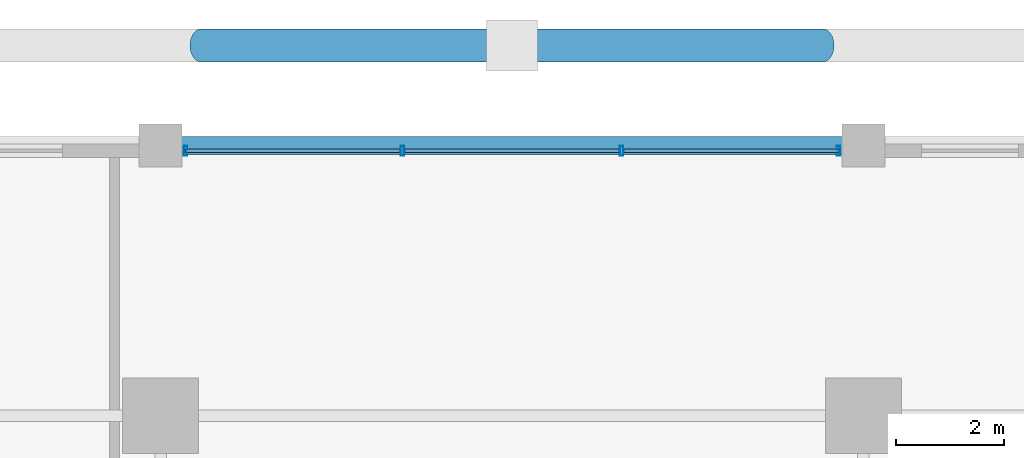
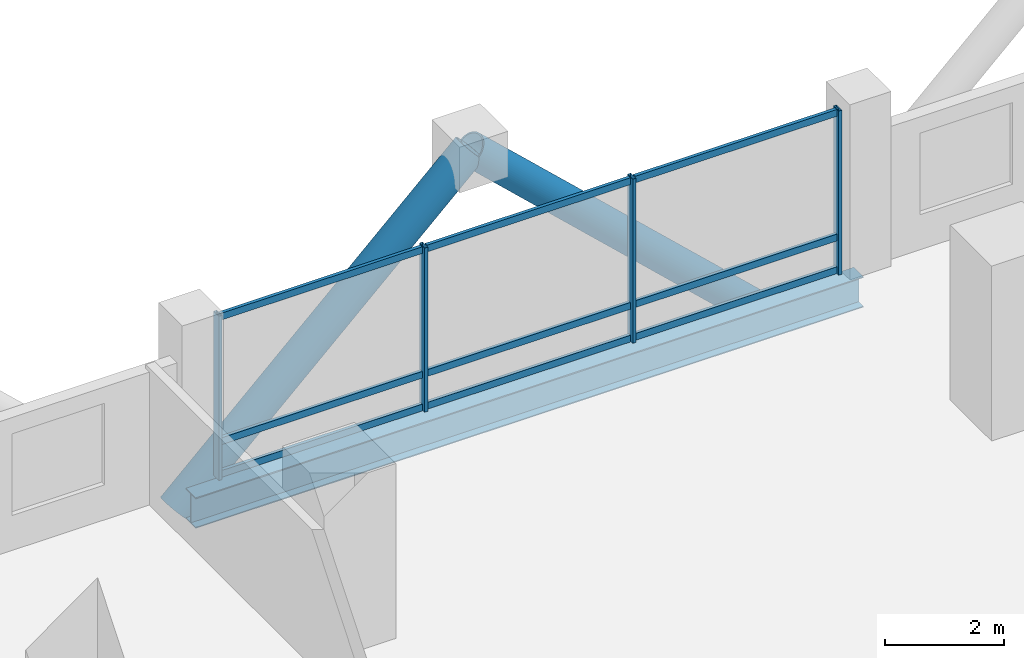
# One storey, part 13 of 23: 15 members, 1 beam, 1 element without a shape of its own.
"""IFC4 building model written with IfcOpenShell, lengths in metres."""

from ifc_helpers import new_model, si_unit, direction, frame, origin, origin_2d, place, context, subcontext, project, spatial, hollow_rectangle, hollow_circle, i_section, extrude, material, layer, layer_set, material_profile, profile_set, type_object, element, aggregate, save


model = new_model("IFC4")

# Units and contexts
model_context = context("Model", 3, precision=1e-05, world=origin(), true_north=direction((0.0, 1.0)))
body_context = subcontext(model_context, "Body", "Model", "MODEL_VIEW")
ifc_project = project(units=[si_unit("LENGTHUNIT", "METRE"), si_unit("AREAUNIT", "SQUARE_METRE"), si_unit("VOLUMEUNIT", "CUBIC_METRE"), si_unit("PLANEANGLEUNIT", "RADIAN"), si_unit("MASSUNIT", "GRAM", prefix="KILO")], contexts=[model_context])

# Site, building, storey
site_placement = place(None, origin())
site = spatial("IfcSite", under=ifc_project, at=site_placement, CompositionType="ELEMENT")
building_placement = place(site_placement, origin())
building = spatial("IfcBuilding", under=site, at=building_placement, Name="Barlavira Tower and Art Museum", CompositionType="ELEMENT")
storey_placement = place(building_placement, frame((0.0, 0.0, 68.39990234375)))
storey = spatial("IfcBuildingStorey", under=building, at=storey_placement, Name="L16", CompositionType="ELEMENT", Elevation=68.39990234375)

# Curtain wall, members
ifc_material_1 = material(Name="Low-iron coastal laminated glass", Category="glass")
ifc_layer = layer(ifc_material_1, 0.179931640625, Name="Low-iron coastal laminated glass")
ifc_layer_set = layer_set([ifc_layer], Name="Low-iron coastal laminated glass")
curtain_wall_type = type_object("IfcCurtainWallType", Name="Pale-Metal Unitised Curtain Wall Zone 1", PredefinedType="NOTDEFINED", material=ifc_layer_set)
curtain_wall_placement = place(storey_placement, origin())
curtain_wall = element("IfcCurtainWall", 1, at=curtain_wall_placement, inside=storey, type_object=curtain_wall_type, Name="L16 Curtain Wall CW1-L16-N-B3", PredefinedType="NOTDEFINED")
ifc_material_2 = material(Name="Pale anodised aluminium", Category="aluminium")
ifc_material_profile_1 = material_profile(ifc_material_2, hollow_rectangle(XDim=0.06494140625, YDim=0.179931640625, WallThickness=0.00390625, at=origin_2d()), Name="ALU-MULL 65x180x4")
ifc_profile_set_1 = profile_set([ifc_material_profile_1], Name="Pale anodised aluminium")
member_type_1 = type_object("IfcMemberType", Name="Curtain Wall Pale-Metal Mullion 65x180", PredefinedType="MULLION", material=ifc_profile_set_1)
member_1_placement = place(storey_placement, frame((6.034912109375, 24.89990234375, 0.0), z_axis=(0.0, 0.0, 1.0), x_axis=(-1.0, 0.0, 0.0)))
member_1 = element("IfcMember", 2, at=member_1_placement, type_object=member_type_1, Name="CW1-L16-N-B3 Mullion 0", PredefinedType="MULLION", context=body_context, shape_type="SweptSolid", body=[
    extrude(hollow_rectangle(XDim=0.06494140625, YDim=0.179931640625, WallThickness=0.00390625, at=origin_2d()), origin(), (0.0, 0.0, 1.0), 3.380126953125),
])
member_2_placement = place(storey_placement, frame((2.026611328125, 24.89990234375, 0.0), z_axis=(0.0, 0.0, 1.0), x_axis=(-1.0, 0.0, 0.0)))
member_2 = element("IfcMember", 3, at=member_2_placement, type_object=member_type_1, Name="CW1-L16-N-B3 Mullion 1", PredefinedType="MULLION", context=body_context, shape_type="SweptSolid", body=[
    extrude(hollow_rectangle(XDim=0.06494140625, YDim=0.179931640625, WallThickness=0.00390625, at=origin_2d()), origin(), (0.0, 0.0, 1.0), 3.380126953125),
])
member_3_placement = place(storey_placement, frame((-2.026611328125, 24.89990234375, 0.0), z_axis=(0.0, 0.0, 1.0), x_axis=(-1.0, 0.0, 0.0)))
member_3 = element("IfcMember", 4, at=member_3_placement, type_object=member_type_1, Name="CW1-L16-N-B3 Mullion 2", PredefinedType="MULLION", context=body_context, shape_type="SweptSolid", body=[
    extrude(hollow_rectangle(XDim=0.06494140625, YDim=0.179931640625, WallThickness=0.00390625, at=origin_2d()), origin(), (0.0, 0.0, 1.0), 3.380126953125),
])
member_4_placement = place(storey_placement, frame((-6.034912109375, 24.89990234375, 0.0), z_axis=(0.0, 0.0, 1.0), x_axis=(-1.0, 0.0, 0.0)))
member_4 = element("IfcMember", 5, at=member_4_placement, type_object=member_type_1, Name="CW1-L16-N-B3 Mullion 3", PredefinedType="MULLION", context=body_context, shape_type="SweptSolid", body=[
    extrude(hollow_rectangle(XDim=0.06494140625, YDim=0.179931640625, WallThickness=0.00390625, at=origin_2d()), origin(), (0.0, 0.0, 1.0), 3.380126953125),
])
ifc_material_profile_2 = material_profile(ifc_material_2, hollow_rectangle(XDim=0.06494140625, YDim=0.139892578125, WallThickness=0.00390625, at=origin_2d()), Name="ALU-TRAN 65x140x4")
ifc_profile_set_2 = profile_set([ifc_material_profile_2], Name="Pale anodised aluminium")
member_type_2 = type_object("IfcMemberType", Name="Curtain Wall Pale-Metal Transom 65x140", PredefinedType="USERDEFINED", material=ifc_profile_set_2)
member_5_placement = place(storey_placement, frame((6.034912109375, 24.89990234375, 0.070068359375), z_axis=(-1.0, 0.0, 0.0), x_axis=(0.0, -1.0, 0.0)))
member_5 = element("IfcMember", 6, at=member_5_placement, type_object=member_type_2, Name="CW1-L16-N-B3 Transom 0.1", ObjectType="TRANSOM", PredefinedType="USERDEFINED", context=body_context, shape_type="SweptSolid", body=[
    extrude(hollow_rectangle(XDim=0.06494140625, YDim=0.139892578125, WallThickness=0.00390625, at=origin_2d()), origin(), (0.0, 0.0, 1.0), 3.963134765625),
])
member_6_placement = place(storey_placement, frame((6.034912109375, 24.89990234375, 0.744140625), z_axis=(-1.0, 0.0, 0.0), x_axis=(0.0, -1.0, 0.0)))
member_6 = element("IfcMember", 7, at=member_6_placement, type_object=member_type_2, Name="CW1-L16-N-B3 Transom 0.2", ObjectType="TRANSOM", PredefinedType="USERDEFINED", context=body_context, shape_type="SweptSolid", body=[
    extrude(hollow_rectangle(XDim=0.06494140625, YDim=0.139892578125, WallThickness=0.00390625, at=origin_2d()), origin(), (0.0, 0.0, 1.0), 3.963134765625),
])
member_7_placement = place(storey_placement, frame((6.034912109375, 24.89990234375, 3.31005859375), z_axis=(-1.0, 0.0, 0.0), x_axis=(0.0, -1.0, 0.0)))
member_7 = element("IfcMember", 8, at=member_7_placement, type_object=member_type_2, Name="CW1-L16-N-B3 Transom 0.3", ObjectType="TRANSOM", PredefinedType="USERDEFINED", context=body_context, shape_type="SweptSolid", body=[
    extrude(hollow_rectangle(XDim=0.06494140625, YDim=0.139892578125, WallThickness=0.00390625, at=origin_2d()), origin(), (0.0, 0.0, 1.0), 3.963134765625),
])
member_8_placement = place(storey_placement, frame((1.981689453125, 24.89990234375, 0.070068359375), z_axis=(-1.0, 0.0, 0.0), x_axis=(0.0, -1.0, 0.0)))
member_8 = element("IfcMember", 9, at=member_8_placement, type_object=member_type_2, Name="CW1-L16-N-B3 Transom 1.1", ObjectType="TRANSOM", PredefinedType="USERDEFINED", context=body_context, shape_type="SweptSolid", body=[
    extrude(hollow_rectangle(XDim=0.06494140625, YDim=0.139892578125, WallThickness=0.00390625, at=origin_2d()), origin(), (0.0, 0.0, 1.0), 3.96337890625),
])
member_9_placement = place(storey_placement, frame((1.981689453125, 24.89990234375, 0.744140625), z_axis=(-1.0, 0.0, 0.0), x_axis=(0.0, -1.0, 0.0)))
member_9 = element("IfcMember", 10, at=member_9_placement, type_object=member_type_2, Name="CW1-L16-N-B3 Transom 1.2", ObjectType="TRANSOM", PredefinedType="USERDEFINED", context=body_context, shape_type="SweptSolid", body=[
    extrude(hollow_rectangle(XDim=0.06494140625, YDim=0.139892578125, WallThickness=0.00390625, at=origin_2d()), origin(), (0.0, 0.0, 1.0), 3.96337890625),
])
member_10_placement = place(storey_placement, frame((1.981689453125, 24.89990234375, 3.31005859375), z_axis=(-1.0, 0.0, 0.0), x_axis=(0.0, -1.0, 0.0)))
member_10 = element("IfcMember", 11, at=member_10_placement, type_object=member_type_2, Name="CW1-L16-N-B3 Transom 1.3", ObjectType="TRANSOM", PredefinedType="USERDEFINED", context=body_context, shape_type="SweptSolid", body=[
    extrude(hollow_rectangle(XDim=0.06494140625, YDim=0.139892578125, WallThickness=0.00390625, at=origin_2d()), origin(), (0.0, 0.0, 1.0), 3.96337890625),
])
member_11_placement = place(storey_placement, frame((-2.07177734375, 24.89990234375, 0.070068359375), z_axis=(-1.0, 0.0, 0.0), x_axis=(0.0, -1.0, 0.0)))
member_11 = element("IfcMember", 12, at=member_11_placement, type_object=member_type_2, Name="CW1-L16-N-B3 Transom 2.1", ObjectType="TRANSOM", PredefinedType="USERDEFINED", context=body_context, shape_type="SweptSolid", body=[
    extrude(hollow_rectangle(XDim=0.06494140625, YDim=0.139892578125, WallThickness=0.00390625, at=origin_2d()), origin(), (0.0, 0.0, 1.0), 3.963134765625),
])
member_12_placement = place(storey_placement, frame((-2.07177734375, 24.89990234375, 0.744140625), z_axis=(-1.0, 0.0, 0.0), x_axis=(0.0, -1.0, 0.0)))
member_12 = element("IfcMember", 13, at=member_12_placement, type_object=member_type_2, Name="CW1-L16-N-B3 Transom 2.2", ObjectType="TRANSOM", PredefinedType="USERDEFINED", context=body_context, shape_type="SweptSolid", body=[
    extrude(hollow_rectangle(XDim=0.06494140625, YDim=0.139892578125, WallThickness=0.00390625, at=origin_2d()), origin(), (0.0, 0.0, 1.0), 3.963134765625),
])
member_13_placement = place(storey_placement, frame((-2.07177734375, 24.89990234375, 3.31005859375), z_axis=(-1.0, 0.0, 0.0), x_axis=(0.0, -1.0, 0.0)))
member_13 = element("IfcMember", 14, at=member_13_placement, type_object=member_type_2, Name="CW1-L16-N-B3 Transom 2.3", ObjectType="TRANSOM", PredefinedType="USERDEFINED", context=body_context, shape_type="SweptSolid", body=[
    extrude(hollow_rectangle(XDim=0.06494140625, YDim=0.139892578125, WallThickness=0.00390625, at=origin_2d()), origin(), (0.0, 0.0, 1.0), 3.963134765625),
])
aggregate(curtain_wall, [member_1, member_2, member_3, member_4, member_5, member_6, member_7, member_8, member_9, member_10, member_11, member_12, member_13])

# Members
ifc_material_3 = material(Name="Steel S355", Category="steel")
ifc_material_profile_3 = material_profile(ifc_material_3, hollow_circle(Radius=0.304931640625, WallThickness=0.028076171875, at=origin_2d()), Name="CHS 610.0x28.0")
ifc_profile_set_3 = profile_set([ifc_material_profile_3], Name="Steel S355")
member_type_3 = type_object("IfcMemberType", Name="Pale-Metal Exoskeleton Diagrid Tube CHS 610x28 Steel S355", PredefinedType="BRACE", material=ifc_profile_set_3)
for number, where, z_axis, x_axis, name in (
    (15, (-5.75, 26.85009765625, -1.919921875), (0.728950095515, 0.0, 0.684566839869), (0.0, 1.0, 0.0), "L16 Exoskeleton Diagrid Tube N"),
    (16, (5.75, 26.85009765625, -1.919921875), (-0.728950095515, 0.0, 0.684566839869), (0.0, -1.0, 0.0), "L16 Exoskeleton Diagrid Tube N"),
):
    element("IfcMember", number, at=place(storey_placement, frame(where, z_axis=z_axis, x_axis=x_axis)), inside=storey, type_object=member_type_3, Name=name, PredefinedType="BRACE", context=body_context, shape_type="SweptSolid", body=[
        extrude(hollow_circle(Radius=0.304931640625, WallThickness=0.028076171875, at=origin_2d()), origin(), (0.0, 0.0, 1.0), 7.887939453125),
    ])

# Beam
ifc_material_profile_4 = material_profile(ifc_material_3, i_section(OverallWidth=0.327880859375, OverallDepth=0.62890625, WebThickness=0.013916015625, FlangeThickness=0.021484375, at=origin_2d()), Name="W610x174.0")
ifc_profile_set_4 = profile_set([ifc_material_profile_4], Name="Steel S355")
beam_type = type_object("IfcBeamType", Name="Perimeter Spandrel Edge Beam W610x174 Steel S355", PredefinedType="SPANDREL", material=ifc_profile_set_4)
beam_placement = place(storey_placement, frame((-6.5, 25.0, -0.534423828125), z_axis=(1.0, 0.0, 0.0), x_axis=(0.0, 1.0, 0.0)))
element("IfcBeam", 17, at=beam_placement, inside=storey, type_object=beam_type, Name="L16 Spandrel 10", PredefinedType="SPANDREL", context=body_context, shape_type="SweptSolid", body=[
    extrude(i_section(OverallWidth=0.327880859375, OverallDepth=0.62890625, WebThickness=0.013916015625, FlangeThickness=0.021484375, at=origin_2d()), origin(), (0.0, 0.0, 1.0), 13.0),
])

save(model, "model.ifc")
